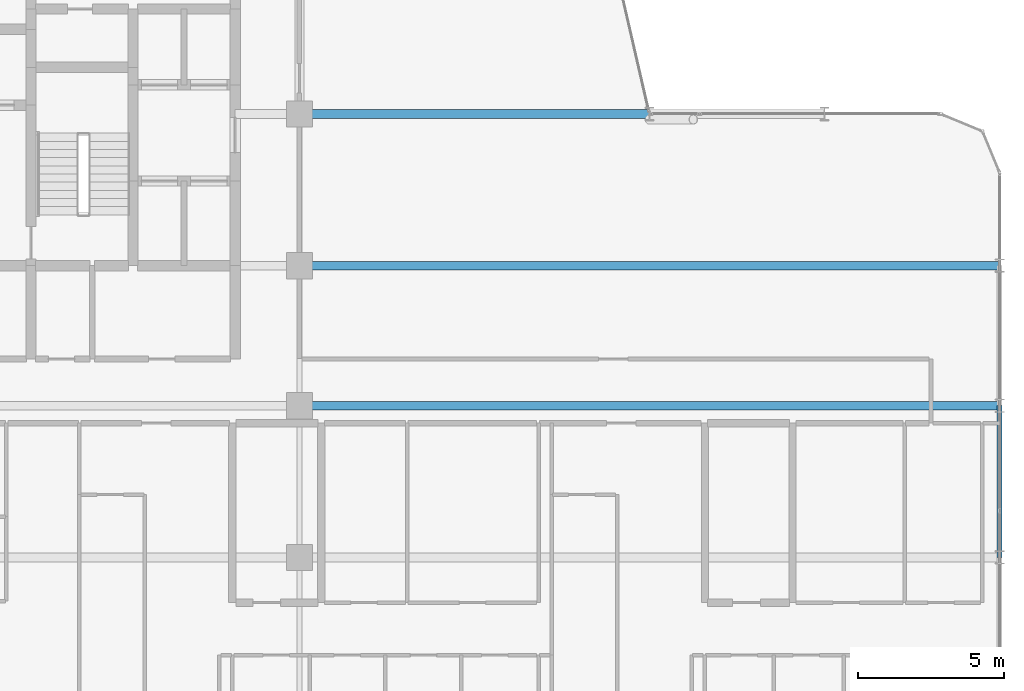
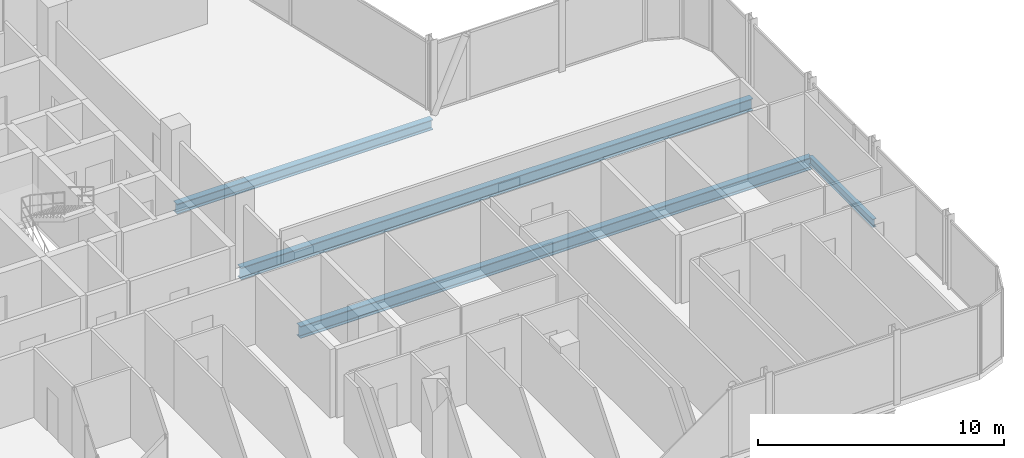
# One storey, part 13 of 29: 4 beams.
"""IFC4 building model written with IfcOpenShell, lengths in metres."""

from ifc_helpers import new_model, si_unit, direction, frame, origin, origin_2d, place, context, subcontext, project, spatial, i_section, extrude, material, material_profile, profile_set, type_object, element, save


model = new_model("IFC4")

# Units and contexts
model_context = context("Model", 3, precision=1e-05, world=origin(), true_north=direction((0.0, 1.0)))
body_context = subcontext(model_context, "Body", "Model", "MODEL_VIEW")
ifc_project = project(units=[si_unit("LENGTHUNIT", "METRE"), si_unit("AREAUNIT", "SQUARE_METRE"), si_unit("VOLUMEUNIT", "CUBIC_METRE"), si_unit("PLANEANGLEUNIT", "RADIAN"), si_unit("MASSUNIT", "GRAM", prefix="KILO")], contexts=[model_context])

# Site, building, storey
site_placement = place(None, origin())
site = spatial("IfcSite", under=ifc_project, at=site_placement, CompositionType="ELEMENT")
building_placement = place(site_placement, origin())
building = spatial("IfcBuilding", under=site, at=building_placement, Name="Keshet Zoharim Tower", CompositionType="ELEMENT")
storey_placement = place(building_placement, frame((0.0, 0.0, 176.5)))
storey = spatial("IfcBuildingStorey", under=building, at=storey_placement, Name="L43", CompositionType="ELEMENT", Elevation=176.5)

# Beams
ifc_material = material(Name="Steel S355", Category="steel")
ifc_material_profile_1 = material_profile(ifc_material, i_section(OverallWidth=0.300048828125, OverallDepth=0.60009765625, WebThickness=0.015380859375, FlangeThickness=0.030029296875, FilletRadius=0.027099609375, at=origin_2d()), Name="HEB600")
ifc_profile_set_1 = profile_set([ifc_material_profile_1], Name="Steel S355")
beam_type_1 = type_object("IfcBeamType", Name="BM-LNG-HB600", PredefinedType="BEAM", material=ifc_profile_set_1)
for number, where, z_axis, x_axis, name in (
    (1, (33.0, 17.89990234375, -0.610107421875), (1.0, 0.0, 0.0), (0.0, 1.0, 0.0), "L43 Primary Girder X-013"),
    (2, (33.0, 22.699951171875, -0.610107421875), (1.0, 0.0, 0.0), (0.0, 1.0, 0.0), "L43 Primary Girder X-014"),
):
    element("IfcBeam", number, at=place(storey_placement, frame(where, z_axis=z_axis, x_axis=x_axis)), inside=storey, type_object=beam_type_1, Name=name, PredefinedType="BEAM", context=body_context, shape_type="SweptSolid", body=[
        extrude(i_section(OverallWidth=0.300048828125, OverallDepth=0.60009765625, WebThickness=0.015380859375, FlangeThickness=0.030029296875, FilletRadius=0.027099609375, at=origin_2d()), origin(), (0.0, 0.0, 1.0), 24.0),
    ])
ifc_material_profile_2 = material_profile(ifc_material, i_section(OverallWidth=0.300048828125, OverallDepth=0.5, WebThickness=0.014404296875, FlangeThickness=0.028076171875, FilletRadius=0.027099609375, at=origin_2d()), Name="HEB500")
ifc_profile_set_2 = profile_set([ifc_material_profile_2], Name="Steel S355")
beam_type_2 = type_object("IfcBeamType", Name="BM-MED-HB500", PredefinedType="BEAM", material=ifc_profile_set_2)
beam_1_placement = place(storey_placement, frame((33.0, 27.89990234375, -0.56005859375), z_axis=(1.0, 0.0, 0.0), x_axis=(0.0, 1.0, 0.0)))
element("IfcBeam", 3, at=beam_1_placement, inside=storey, type_object=beam_type_2, Name="L43 Primary Girder X-015", PredefinedType="BEAM", context=body_context, shape_type="SweptSolid", body=[
    extrude(i_section(OverallWidth=0.300048828125, OverallDepth=0.5, WebThickness=0.014404296875, FlangeThickness=0.028076171875, FilletRadius=0.027099609375, at=origin_2d()), origin(), (0.0, 0.0, 1.0), 12.0),
])
ifc_material_profile_3 = material_profile(ifc_material, i_section(OverallWidth=0.179931640625, OverallDepth=0.39990234375, WebThickness=0.008544921875, FlangeThickness=0.013427734375, FilletRadius=0.02099609375, at=origin_2d()), Name="IPE400")
ifc_profile_set_3 = profile_set([ifc_material_profile_3], Name="Steel S355")
beam_type_3 = type_object("IfcBeamType", Name="BM-PRI-IP400", PredefinedType="BEAM", material=ifc_profile_set_3)
beam_2_placement = place(storey_placement, frame((57.0, 12.699951171875, -0.510009765625), z_axis=(0.0, 1.0, 0.0), x_axis=(-1.0, 0.0, 0.0)))
element("IfcBeam", 4, at=beam_2_placement, inside=storey, type_object=beam_type_3, Name="L43 Primary Girder Y-014", PredefinedType="BEAM", context=body_context, shape_type="SweptSolid", body=[
    extrude(i_section(OverallWidth=0.179931640625, OverallDepth=0.39990234375, WebThickness=0.008544921875, FlangeThickness=0.013427734375, FilletRadius=0.02099609375, at=origin_2d()), origin(), (0.0, 0.0, 1.0), 5.199951171875),
])

save(model, "model.ifc")
